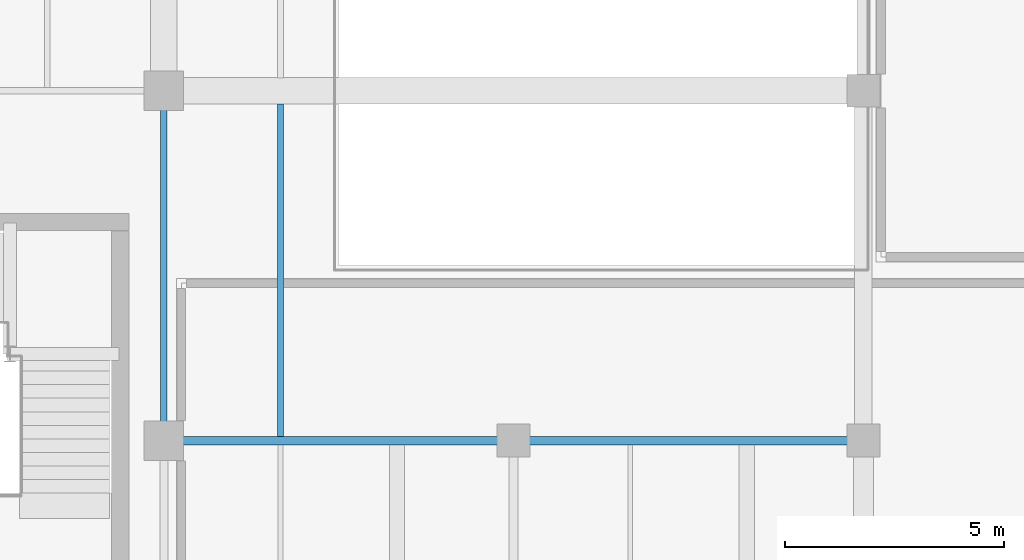
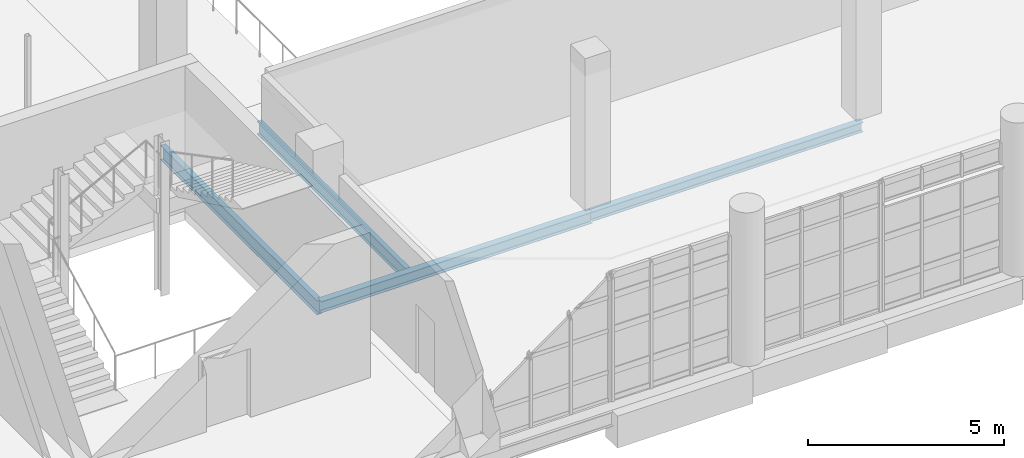
# One storey, part 21 of 127: 4 beams.
"""IFC4 building model written with IfcOpenShell, lengths in metres."""

from ifc_helpers import new_model, si_unit, derived_unit, direction, frame, origin, origin_2d, place, context, subcontext, project, spatial, i_section, extrude, material, material_profile, profile_set, type_object, element, save


model = new_model("IFC4")

# Units and contexts
model_context = context("Model", 3, precision=1e-05, world=origin(), true_north=direction((0.0, 1.0)))
body_context = subcontext(model_context, "Body", "Model", "MODEL_VIEW")
ifc_project = project(units=[si_unit("LENGTHUNIT", "METRE"), si_unit("AREAUNIT", "SQUARE_METRE"), si_unit("VOLUMEUNIT", "CUBIC_METRE"), si_unit("PLANEANGLEUNIT", "RADIAN"), si_unit("MASSUNIT", "GRAM", prefix="KILO"), derived_unit("THERMALTRANSMITTANCEUNIT", [(si_unit("POWERUNIT", "WATT"), 1), (si_unit("LENGTHUNIT", "METRE"), -2), (si_unit("THERMODYNAMICTEMPERATUREUNIT", "KELVIN"), -1)])], contexts=[model_context])

# Site, building, storey
site_placement = place(None, origin())
site = spatial("IfcSite", under=ifc_project, at=site_placement, CompositionType="ELEMENT")
building_placement = place(site_placement, origin())
building = spatial("IfcBuilding", under=site, at=building_placement, Name="Nallur Shell Playhouse", CompositionType="ELEMENT")
storey_placement = place(building_placement, frame((0.0, 0.0, 5.39990234375)))
storey = spatial("IfcBuildingStorey", under=building, at=storey_placement, Name="L02", CompositionType="ELEMENT", Elevation=5.39990234375)

# Beams
ifc_material_1 = material(Name="Steel E250", Category="steel")
ifc_material_profile_1 = material_profile(ifc_material_1, i_section(OverallWidth=0.139892578125, OverallDepth=0.39990234375, WebThickness=0.0087890625, FlangeThickness=0.01611328125, FilletRadius=0.013916015625, at=origin_2d()), Name="ISMB 400")
ifc_profile_set_1 = profile_set([ifc_material_profile_1], Name="Steel E250")
beam_type_1 = type_object("IfcBeamType", Name="BM-JST-ISMB400", PredefinedType="JOIST", material=ifc_profile_set_1)
beam_1_placement = place(storey_placement, frame((42.666748046875, 16.097900390625, -0.47998046875), z_axis=(0.0, 1.0, 0.0), x_axis=(-1.0, 0.0, 0.0)))
element("IfcBeam", 1, at=beam_1_placement, inside=storey, type_object=beam_type_1, Name="L02 secondary joist 5-B-511", PredefinedType="JOIST", context=body_context, shape_type="SweptSolid", body=[
    extrude(i_section(OverallWidth=0.139892578125, OverallDepth=0.39990234375, WebThickness=0.0087890625, FlangeThickness=0.01611328125, FilletRadius=0.013916015625, at=origin_2d()), origin(), (0.0, 0.0, 1.0), 7.60400390625),
])
ifc_material_2 = material(Name="Steel E350", Category="steel")
ifc_material_profile_2 = material_profile(ifc_material_2, i_section(OverallWidth=0.14990234375, OverallDepth=0.449951171875, WebThickness=0.009521484375, FlangeThickness=0.017333984375, FilletRadius=0.014892578125, at=origin_2d()), Name="ISMB 450")
ifc_profile_set_2 = profile_set([ifc_material_profile_2], Name="Steel E350")
beam_type_2 = type_object("IfcBeamType", Name="BM-ST-ISMB450", PredefinedType="BEAM", material=ifc_profile_set_2)
beam_2_placement = place(storey_placement, frame((40.0, 16.0, -0.5048828125), z_axis=(0.0, 1.0, 0.0), x_axis=(-1.0, 0.0, 0.0)))
element("IfcBeam", 2, at=beam_2_placement, inside=storey, type_object=beam_type_2, Name="L02 girder Y-5-411", PredefinedType="BEAM", context=body_context, shape_type="SweptSolid", body=[
    extrude(i_section(OverallWidth=0.14990234375, OverallDepth=0.449951171875, WebThickness=0.009521484375, FlangeThickness=0.017333984375, FilletRadius=0.014892578125, at=origin_2d()), origin(), (0.0, 0.0, 1.0), 8.0),
])
ifc_material_profile_3 = material_profile(ifc_material_1, i_section(OverallWidth=0.199951171875, OverallDepth=0.300048828125, WebThickness=0.00732421875, FlangeThickness=0.010009765625, FilletRadius=0.010986328125, at=origin_2d()), Name="ISWB 300")
ifc_profile_set_3 = profile_set([ifc_material_profile_3], Name="Steel E250")
beam_type_3 = type_object("IfcBeamType", Name="BM-ST-ISWB300", PredefinedType="BEAM", material=ifc_profile_set_3)
beam_3_placement = place(storey_placement, frame((48.0, 16.0, -0.429931640625), z_axis=(1.0, 0.0, 0.0), x_axis=(0.0, 1.0, 0.0)))
element("IfcBeam", 3, at=beam_3_placement, inside=storey, type_object=beam_type_3, Name="L02 girder X-B-327", PredefinedType="BEAM", context=body_context, shape_type="SweptSolid", body=[
    extrude(i_section(OverallWidth=0.199951171875, OverallDepth=0.300048828125, WebThickness=0.00732421875, FlangeThickness=0.010009765625, FilletRadius=0.010986328125, at=origin_2d()), origin(), (0.0, 0.0, 1.0), 8.0),
])
ifc_material_profile_4 = material_profile(ifc_material_2, i_section(OverallWidth=0.199951171875, OverallDepth=0.35009765625, WebThickness=0.008056640625, FlangeThickness=0.011474609375, FilletRadius=0.011962890625, at=origin_2d()), Name="ISWB 350")
ifc_profile_set_4 = profile_set([ifc_material_profile_4], Name="Steel E350")
beam_type_4 = type_object("IfcBeamType", Name="BM-ST-ISWB350", PredefinedType="BEAM", material=ifc_profile_set_4)
beam_4_placement = place(storey_placement, frame((40.0, 16.0, -0.454833984375), z_axis=(1.0, 0.0, 0.0), x_axis=(0.0, 1.0, 0.0)))
element("IfcBeam", 4, at=beam_4_placement, inside=storey, type_object=beam_type_4, Name="L02 girder X-B-326", PredefinedType="BEAM", context=body_context, shape_type="SweptSolid", body=[
    extrude(i_section(OverallWidth=0.199951171875, OverallDepth=0.35009765625, WebThickness=0.008056640625, FlangeThickness=0.011474609375, FilletRadius=0.011962890625, at=origin_2d()), origin(), (0.0, 0.0, 1.0), 8.0),
])

save(model, "model.ifc")
